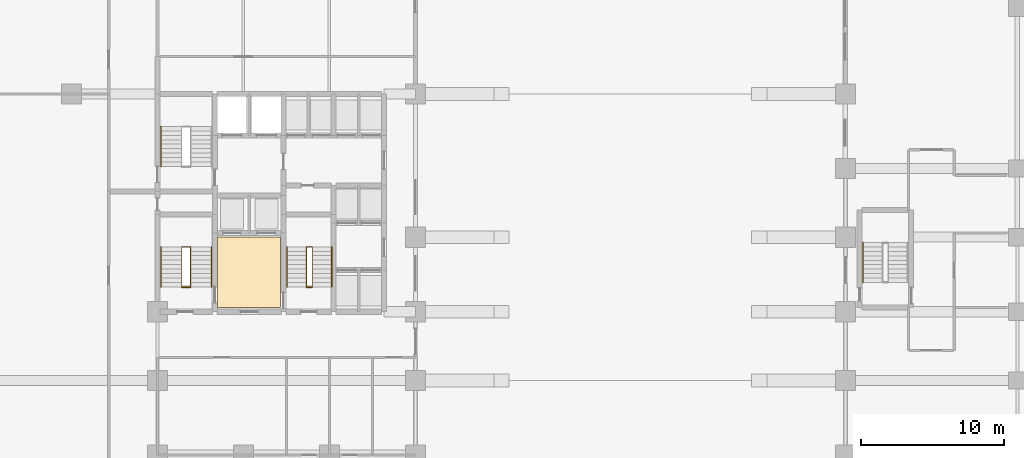
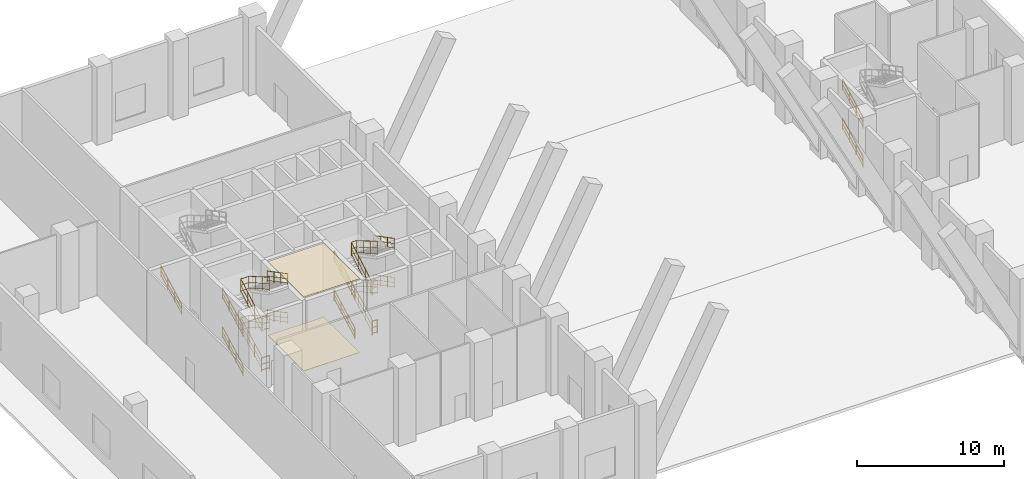
# One storey, part 8 of 10: 15 railings, 2 coverings.
"""IFC4 building model written with IfcOpenShell, lengths in metres."""

import ifcopenshell
import ifcopenshell.guid

model = None  # the IFC model being written
_history = None  # IfcOwnerHistory: only IFC2X3 demands one
_inside = {}  # id of a spatial element -> (the spatial element, [elements in it])
_under = {}  # id of a project, library or spatial element -> (it, [spatial elements below it])
_declared = {}  # id of a project -> (the project, [libraries it declares])
_typed = {}  # id of a type object -> (the type object, [elements of that type])
_made_of = {}  # id of a material, layer set ... -> (it, [elements and type objects made of it])


def new_model(schema):
    """Start an empty IFC model of exactly this schema.

    Asked for "IFC4X3", IfcOpenShell would pick the latest addendum, in which some entities
    have other attributes; the version numbers below select the first issue.
    IFC2X3 requires an IfcOwnerHistory on every rooted entity: one is made here for all.
    """
    global model, _history
    if schema == "IFC4X3":
        model = ifcopenshell.file(schema_version=(4, 3, 0, 0))
    else:
        model = ifcopenshell.file(schema=schema)
    _inside.clear()
    _under.clear()
    _declared.clear()
    _typed.clear()
    _made_of.clear()
    _history = None
    if model.schema == "IFC2X3":
        org = make("IfcOrganization", Name="unknown")
        user = make(
            "IfcPersonAndOrganization",
            ThePerson=make("IfcPerson", FamilyName="unknown"),
            TheOrganization=org,
        )
        app = make(
            "IfcApplication",
            ApplicationDeveloper=org,
            Version="unknown",
            ApplicationFullName="unknown",
            ApplicationIdentifier="unknown",
        )
        _history = make(
            "IfcOwnerHistory",
            OwningUser=user,
            OwningApplication=app,
            ChangeAction="ADDED",
            CreationDate=0,
        )
    return model


def make(cls, **values):
    """One entity of the class cls with the attributes given. An attribute that is None is left unset."""
    return model.create_entity(
        cls, **{name: value for name, value in values.items() if value is not None}
    )


def rooted(cls, **values):
    """An entity with a GlobalId (a new one), such as an element, a storey or a relation."""
    return make(cls, GlobalId=ifcopenshell.guid.new(), OwnerHistory=_history, **values)


def si_unit(unit_type, name, prefix=None):
    """IfcSIUnit, for example si_unit("LENGTHUNIT", "METRE", prefix="MILLI")."""
    return make("IfcSIUnit", UnitType=unit_type, Prefix=prefix, Name=name)


def assignment(units):
    """IfcUnitAssignment: the units of a project."""
    return None if units is None else make("IfcUnitAssignment", Units=units)


def point(xyz):
    """IfcCartesianPoint."""
    return None if xyz is None else make("IfcCartesianPoint", Coordinates=xyz)


def direction(xyz):
    """IfcDirection."""
    return None if xyz is None else make("IfcDirection", DirectionRatios=xyz)


def frame(location, z_axis=None, x_axis=None):
    """IfcAxis2Placement3D, a coordinate frame: its origin and axes. An axis left out is left unset."""
    return make(
        "IfcAxis2Placement3D",
        Location=point(location),
        Axis=direction(z_axis),
        RefDirection=direction(x_axis),
    )


def frame_2d(location, x_axis=None):
    """IfcAxis2Placement2D, a coordinate frame in the plane: its origin and x axis."""
    return make(
        "IfcAxis2Placement2D", Location=point(location), RefDirection=direction(x_axis)
    )


def origin():
    """The frame at (0, 0, 0) with its axes left unset."""
    return frame((0.0, 0.0, 0.0))


def origin_2d():
    """The frame at (0, 0) in the plane with its x axis left unset."""
    return frame_2d((0.0, 0.0))


def place(relative_to, where):
    """IfcLocalPlacement: puts the frame where relative to a parent placement (None: the world)."""
    return make(
        "IfcLocalPlacement", PlacementRelTo=relative_to, RelativePlacement=where
    )


def context(
    kind, dimensions, precision=None, world=None, true_north=None, identifier=None
):
    """IfcGeometricRepresentationContext, for example the 3D "Model" context."""
    return make(
        "IfcGeometricRepresentationContext",
        ContextIdentifier=identifier,
        ContextType=kind,
        CoordinateSpaceDimension=dimensions,
        Precision=precision,
        WorldCoordinateSystem=world,
        TrueNorth=true_north,
    )


def subcontext(parent, identifier, kind, view, scale=None):
    """IfcGeometricRepresentationSubContext, for example "Body" below "Model"."""
    return make(
        "IfcGeometricRepresentationSubContext",
        ContextIdentifier=identifier,
        ContextType=kind,
        ParentContext=parent,
        TargetScale=scale,
        TargetView=view,
    )


def project(units=None, contexts=None):
    """IfcProject with its units and contexts."""
    return rooted(
        "IfcProject",
        Name="project",
        RepresentationContexts=contexts,
        UnitsInContext=assignment(units),
    )


def spatial(cls, under=None, at=None, **own):
    """A site, building, storey or space (cls), placed at a placement, below another one or the project."""
    s = rooted(cls, ObjectPlacement=at, **own)
    if under is not None:
        _under.setdefault(under.id(), (under, []))[1].append(s)
    return s


def polyline(points):
    """IfcPolyline through the points."""
    return make("IfcPolyline", Points=[point(p) for p in points])


def profile(cls, at=None, kind="AREA", **sizes):
    """A parametric profile (cls). Its sizes go by their IFC names, for example OverallWidth=200.0."""
    return make(cls, ProfileType=kind, Position=at, **sizes)


def circle(**sizes):
    """IfcCircleProfileDef."""
    return profile("IfcCircleProfileDef", **sizes)


def outline(outer, holes=None, kind="AREA"):
    """IfcArbitraryClosedProfileDef: a profile drawn as a closed curve; with holes, ...WithVoids."""
    if holes is None:
        return make("IfcArbitraryClosedProfileDef", ProfileType=kind, OuterCurve=outer)
    return make(
        "IfcArbitraryProfileDefWithVoids",
        ProfileType=kind,
        OuterCurve=outer,
        InnerCurves=holes,
    )


def extrude(swept, where, along, depth):
    """IfcExtrudedAreaSolid: the profile swept, set in the frame where, extruded along a direction by depth."""
    return make(
        "IfcExtrudedAreaSolid",
        SweptArea=swept,
        Position=where,
        ExtrudedDirection=direction(along),
        Depth=depth,
    )


def shape(context_of_items, identifier, shape_type, items):
    """IfcShapeRepresentation: the items that make up one representation, for example the "Body"."""
    return make(
        "IfcShapeRepresentation",
        ContextOfItems=context_of_items,
        RepresentationIdentifier=identifier,
        RepresentationType=shape_type,
        Items=items,
    )


def material(Name=None, Category=None):
    """IfcMaterial."""
    return make("IfcMaterial", Name=Name, Category=Category)


def layer(
    of_material, thickness, ventilated=None, Name=None, Category=None, Priority=None
):
    """IfcMaterialLayer: one layer of a wall or slab, of a material (None: an air gap)."""
    return make(
        "IfcMaterialLayer",
        Material=of_material,
        LayerThickness=thickness,
        IsVentilated=ventilated,
        Name=Name,
        Category=Category,
        Priority=Priority,
    )


def layer_set(layers, Name=None):
    """IfcMaterialLayerSet."""
    return make("IfcMaterialLayerSet", MaterialLayers=layers, LayerSetName=Name)


def made_of(thing, what):
    """Note that an element or type object is made of a material, layer set ...; save() writes the relation."""
    if what is not None:
        _made_of.setdefault(what.id(), (what, []))[1].append(thing)
    return thing


def type_object(cls, material=None, **own):
    """A type object (cls), such as IfcWallType, which elements share."""
    return made_of(rooted(cls, **own), material)


def element(
    cls,
    number,
    at=None,
    inside=None,
    cuts=None,
    type_object=None,
    material=None,
    context=None,
    identifier="Body",
    shape_type=None,
    held_by="IfcProductDefinitionShape",
    body=None,
    shapes=None,
    **own,
):
    """One element of the class cls, such as IfcWall. Its Tag is "e" and its number.

    at: its placement. inside: the storey or other place that contains it. cuts: it is an
    opening in that element (IfcRelVoidsElement). A single representation is given by context,
    identifier, shape_type and body (its items); several are given by shapes. held_by: the class
    of the entity that holds the representations. save() writes the other relations.
    """
    e = rooted(cls, Tag="e%d" % number, ObjectPlacement=at, **own)
    if body is not None:
        shapes = [shape(context, identifier, shape_type, body)]
    if shapes is not None:
        e.Representation = make(held_by, Representations=shapes)
    if inside is not None:
        _inside.setdefault(inside.id(), (inside, []))[1].append(e)
    if cuts is not None:
        rooted(
            "IfcRelVoidsElement", RelatingBuildingElement=cuts, RelatedOpeningElement=e
        )
    if type_object is not None:
        _typed.setdefault(type_object.id(), (type_object, []))[1].append(e)
    return made_of(e, material)


def aggregate(whole, parts):
    """IfcRelAggregates: a whole, such as a stair, and the parts it consists of."""
    return rooted("IfcRelAggregates", RelatingObject=whole, RelatedObjects=parts)


def save(model, path):
    """Write the relations noted so far, then the file.

    IfcRelAggregates (storeys below a building ...), IfcRelContainedInSpatialStructure (elements
    in a storey), IfcRelDefinesByType, IfcRelAssociatesMaterial and IfcRelDeclares: one each for
    every whole, place, type object, material and project.
    """
    for whole, parts in _under.values():
        aggregate(whole, parts)
    for where, things in _inside.values():
        rooted(
            "IfcRelContainedInSpatialStructure",
            RelatedElements=things,
            RelatingStructure=where,
        )
    for kind, things in _typed.values():
        rooted("IfcRelDefinesByType", RelatedObjects=things, RelatingType=kind)
    for what, things in _made_of.values():
        rooted("IfcRelAssociatesMaterial", RelatedObjects=things, RelatingMaterial=what)
    for by, libraries in _declared.values():
        rooted("IfcRelDeclares", RelatingContext=by, RelatedDefinitions=libraries)
    model.write(path)


model = new_model("IFC4")

# Units and contexts
model_context = context("Model", 3, precision=1e-05, world=origin(), true_north=direction((0.0, 1.0)))
body_context = subcontext(model_context, "Body", "Model", "MODEL_VIEW")
ifc_project = project(units=[si_unit("LENGTHUNIT", "METRE"), si_unit("AREAUNIT", "SQUARE_METRE"), si_unit("VOLUMEUNIT", "CUBIC_METRE"), si_unit("PLANEANGLEUNIT", "RADIAN"), si_unit("MASSUNIT", "GRAM", prefix="KILO")], contexts=[model_context])

# Site, building, storey
site_placement = place(None, origin())
site = spatial("IfcSite", under=ifc_project, at=site_placement, CompositionType="ELEMENT")
building_placement = place(site_placement, origin())
building = spatial("IfcBuilding", under=site, at=building_placement, Name="Keshet Zoharim Tower", CompositionType="ELEMENT")
storey_placement = place(building_placement, origin())
storey = spatial("IfcBuildingStorey", under=building, at=storey_placement, Name="L00", CompositionType="ELEMENT", Elevation=0.0)

# Coverings
ifc_material_1 = material(Name="Gypsum Plasterboard", Category="gypsum")
ifc_layer_1 = layer(ifc_material_1, 0.02490234375)
ifc_layer_set_1 = layer_set([ifc_layer_1], Name="Gypsum Plasterboard")
covering_type_1 = type_object("IfcCoveringType", Name="CV-CLG-025", PredefinedType="CEILING", material=ifc_layer_set_1)
covering_1_placement = place(storey_placement, frame((0.0, 0.0, 6.14501953125)))
element("IfcCovering", 1, at=covering_1_placement, inside=storey, type_object=covering_type_1, Name="L00 Transfer Lobby Acoustic Ceiling", PredefinedType="CEILING", context=body_context, shape_type="SweptSolid", body=[
    extrude(outline(polyline([(19.199951171875, 23.0), (23.60009765625, 23.0), (23.60009765625, 27.89990234375), (19.199951171875, 27.89990234375), (19.199951171875, 23.0)])), origin(), (0.0, 0.0, 1.0), 0.02490234375),
])
ifc_material_2 = material(Name="Porcelain Ceramic Tile", Category="ceramic")
ifc_layer_2 = layer(ifc_material_2, 0.02001953125)
ifc_layer_set_2 = layer_set([ifc_layer_2], Name="Porcelain Ceramic Tile")
covering_type_2 = type_object("IfcCoveringType", Name="CV-FLR-020", PredefinedType="FLOORING", material=ifc_layer_set_2)
covering_2_placement = place(storey_placement, origin())
element("IfcCovering", 2, at=covering_2_placement, inside=storey, type_object=covering_type_2, Name="L00 Transfer Lobby Porcelain Flooring", PredefinedType="FLOORING", context=body_context, shape_type="SweptSolid", body=[
    extrude(outline(polyline([(19.199951171875, 23.0), (23.60009765625, 23.0), (23.60009765625, 27.89990234375), (19.199951171875, 27.89990234375), (19.199951171875, 23.0)])), origin(), (0.0, 0.0, 1.0), 0.02001953125),
])

# Railings
ifc_material_3 = material(Name="Steel S355", Category="steel")
ifc_layer_3 = layer(ifc_material_3, 0.050048828125)
ifc_layer_set_3 = layer_set([ifc_layer_3], Name="Steel S355")
railing_type_1 = type_object("IfcRailingType", Name="RL-HND-092", PredefinedType="HANDRAIL", material=ifc_layer_set_3)
railing_1_placement = place(storey_placement, frame((15.239990234375, 24.43994140625, 0.16259765625)))
element("IfcRailing", 3, at=railing_1_placement, inside=storey, type_object=railing_type_1, Name="L00 ST-01 Flight 1 Wall Handrail", PredefinedType="HANDRAIL", context=body_context, shape_type="SweptSolid", body=[
    extrude(circle(Radius=0.02392578125, at=origin_2d()), frame((0.0, 0.0, 0.89599609375), z_axis=(0.0, 0.885707112116, 0.46424445236), x_axis=(-1.0, 0.0, 0.0)), (0.0, 0.0, 1.0), 3.150146484375),
    extrude(circle(Radius=0.01611328125, at=origin_2d()), frame((0.0, 0.0, 0.478271484375), z_axis=(0.0, 0.885707112116, 0.46424445236), x_axis=(-1.0, 0.0, 0.0)), (0.0, 0.0, 1.0), 3.150146484375),
    extrude(circle(Radius=0.01611328125, at=origin_2d()), frame((0.0, 0.0, 0.1201171875), z_axis=(0.0, 0.885707112116, 0.46424445236), x_axis=(-1.0, 0.0, 0.0)), (0.0, 0.0, 1.0), 3.150146484375),
    extrude(circle(Radius=0.02099609375, at=origin_2d()), origin(), (0.0, 0.0, 1.0), 0.871826171875),
    extrude(circle(Radius=0.02099609375, at=origin_2d()), frame((0.0, 0.929931640625, 0.487548828125)), (0.0, 0.0, 1.0), 0.871826171875),
    extrude(circle(Radius=0.02099609375, at=origin_2d()), frame((0.0, 1.860107421875, 0.974853515625)), (0.0, 0.0, 1.0), 0.871826171875),
    extrude(circle(Radius=0.02099609375, at=origin_2d()), frame((0.0, 2.7900390625, 1.46240234375)), (0.0, 0.0, 1.0), 0.871826171875),
])
railing_2_placement = place(storey_placement, frame((18.760009765625, 27.22998046875, 1.78759765625)))
element("IfcRailing", 4, at=railing_2_placement, inside=storey, type_object=railing_type_1, Name="L00 ST-01 Flight 2 Wall Handrail", PredefinedType="HANDRAIL", context=body_context, shape_type="SweptSolid", body=[
    extrude(circle(Radius=0.02392578125, at=origin_2d()), frame((0.0, 0.0, 0.89599609375), z_axis=(0.0, -0.885707112116, 0.46424445236), x_axis=(1.0, 0.0, 0.0)), (0.0, 0.0, 1.0), 3.150146484375),
    extrude(circle(Radius=0.01611328125, at=origin_2d()), frame((0.0, 0.0, 0.478271484375), z_axis=(0.0, -0.885707112116, 0.46424445236), x_axis=(1.0, 0.0, 0.0)), (0.0, 0.0, 1.0), 3.150146484375),
    extrude(circle(Radius=0.01611328125, at=origin_2d()), frame((0.0, 0.0, 0.1201171875), z_axis=(0.0, -0.885707112116, 0.46424445236), x_axis=(1.0, 0.0, 0.0)), (0.0, 0.0, 1.0), 3.150146484375),
    extrude(circle(Radius=0.02099609375, at=origin_2d()), origin(), (0.0, 0.0, 1.0), 0.871826171875),
    extrude(circle(Radius=0.02099609375, at=origin_2d()), frame((0.0, -0.929931640625, 0.487548828125)), (0.0, 0.0, 1.0), 0.871826171875),
    extrude(circle(Radius=0.02099609375, at=origin_2d()), frame((0.0, -1.860107421875, 0.974853515625)), (0.0, 0.0, 1.0), 0.871826171875),
    extrude(circle(Radius=0.02099609375, at=origin_2d()), frame((0.0, -2.7900390625, 1.46240234375)), (0.0, 0.0, 1.0), 0.871826171875),
])
railing_3_placement = place(storey_placement, frame((15.239990234375, 24.43994140625, 3.41259765625)))
element("IfcRailing", 5, at=railing_3_placement, inside=storey, type_object=railing_type_1, Name="L00 ST-01 Flight 3 Wall Handrail", PredefinedType="HANDRAIL", context=body_context, shape_type="SweptSolid", body=[
    extrude(circle(Radius=0.02392578125, at=origin_2d()), frame((0.0, 0.0, 0.89599609375), z_axis=(0.0, 0.885707112116, 0.46424445236), x_axis=(-1.0, 0.0, 0.0)), (0.0, 0.0, 1.0), 3.150146484375),
    extrude(circle(Radius=0.01611328125, at=origin_2d()), frame((0.0, 0.0, 0.478271484375), z_axis=(0.0, 0.885707112116, 0.46424445236), x_axis=(-1.0, 0.0, 0.0)), (0.0, 0.0, 1.0), 3.150146484375),
    extrude(circle(Radius=0.01611328125, at=origin_2d()), frame((0.0, 0.0, 0.1201171875), z_axis=(0.0, 0.885707112116, 0.46424445236), x_axis=(-1.0, 0.0, 0.0)), (0.0, 0.0, 1.0), 3.150146484375),
    extrude(circle(Radius=0.02099609375, at=origin_2d()), origin(), (0.0, 0.0, 1.0), 0.871826171875),
    extrude(circle(Radius=0.02099609375, at=origin_2d()), frame((0.0, 0.929931640625, 0.487548828125)), (0.0, 0.0, 1.0), 0.871826171875),
    extrude(circle(Radius=0.02099609375, at=origin_2d()), frame((0.0, 1.860107421875, 0.974853515625)), (0.0, 0.0, 1.0), 0.871826171875),
    extrude(circle(Radius=0.02099609375, at=origin_2d()), frame((0.0, 2.7900390625, 1.46240234375)), (0.0, 0.0, 1.0), 0.871826171875),
])
railing_4_placement = place(storey_placement, frame((18.760009765625, 27.22998046875, 5.03759765625)))
element("IfcRailing", 6, at=railing_4_placement, inside=storey, type_object=railing_type_1, Name="L00 ST-01 Flight 4 Wall Handrail", PredefinedType="HANDRAIL", context=body_context, shape_type="SweptSolid", body=[
    extrude(circle(Radius=0.02392578125, at=origin_2d()), frame((0.0, 0.0, 0.89599609375), z_axis=(0.0, -0.885707112116, 0.46424445236), x_axis=(1.0, 0.0, 0.0)), (0.0, 0.0, 1.0), 3.150146484375),
    extrude(circle(Radius=0.01611328125, at=origin_2d()), frame((0.0, 0.0, 0.478271484375), z_axis=(0.0, -0.885707112116, 0.46424445236), x_axis=(1.0, 0.0, 0.0)), (0.0, 0.0, 1.0), 3.150146484375),
    extrude(circle(Radius=0.01611328125, at=origin_2d()), frame((0.0, 0.0, 0.1201171875), z_axis=(0.0, -0.885707112116, 0.46424445236), x_axis=(1.0, 0.0, 0.0)), (0.0, 0.0, 1.0), 3.150146484375),
    extrude(circle(Radius=0.02099609375, at=origin_2d()), origin(), (0.0, 0.0, 1.0), 0.871826171875),
    extrude(circle(Radius=0.02099609375, at=origin_2d()), frame((0.0, -0.929931640625, 0.487548828125)), (0.0, 0.0, 1.0), 0.871826171875),
    extrude(circle(Radius=0.02099609375, at=origin_2d()), frame((0.0, -1.860107421875, 0.974853515625)), (0.0, 0.0, 1.0), 0.871826171875),
    extrude(circle(Radius=0.02099609375, at=origin_2d()), frame((0.0, -2.7900390625, 1.46240234375)), (0.0, 0.0, 1.0), 0.871826171875),
])
railing_5_placement = place(storey_placement, frame((15.239990234375, 32.840087890625, 0.16259765625)))
element("IfcRailing", 7, at=railing_5_placement, inside=storey, type_object=railing_type_1, Name="L00 ST-02 Flight 1 Wall Handrail", PredefinedType="HANDRAIL", context=body_context, shape_type="SweptSolid", body=[
    extrude(circle(Radius=0.02392578125, at=origin_2d()), frame((0.0, 0.0, 0.89599609375), z_axis=(0.0, 0.88569040667, 0.46427632239), x_axis=(-1.0, 0.0, 0.0)), (0.0, 0.0, 1.0), 3.14990234375),
    extrude(circle(Radius=0.01611328125, at=origin_2d()), frame((0.0, 0.0, 0.478271484375), z_axis=(0.0, 0.88569040667, 0.46427632239), x_axis=(-1.0, 0.0, 0.0)), (0.0, 0.0, 1.0), 3.14990234375),
    extrude(circle(Radius=0.01611328125, at=origin_2d()), frame((0.0, 0.0, 0.1201171875), z_axis=(0.0, 0.88569040667, 0.46427632239), x_axis=(-1.0, 0.0, 0.0)), (0.0, 0.0, 1.0), 3.14990234375),
    extrude(circle(Radius=0.02099609375, at=origin_2d()), origin(), (0.0, 0.0, 1.0), 0.871826171875),
    extrude(circle(Radius=0.02099609375, at=origin_2d()), frame((0.0, 0.929931640625, 0.487548828125)), (0.0, 0.0, 1.0), 0.871826171875),
    extrude(circle(Radius=0.02099609375, at=origin_2d()), frame((0.0, 1.85986328125, 0.974853515625)), (0.0, 0.0, 1.0), 0.871826171875),
    extrude(circle(Radius=0.02099609375, at=origin_2d()), frame((0.0, 2.789794921875, 1.46240234375)), (0.0, 0.0, 1.0), 0.871826171875),
])
railing_6_placement = place(storey_placement, frame((24.0400390625, 24.43994140625, 0.16259765625)))
element("IfcRailing", 8, at=railing_6_placement, inside=storey, type_object=railing_type_1, Name="L00 ST-03 Flight 1 Wall Handrail", PredefinedType="HANDRAIL", context=body_context, shape_type="SweptSolid", body=[
    extrude(circle(Radius=0.02392578125, at=origin_2d()), frame((0.0, 0.0, 0.89599609375), z_axis=(0.0, 0.885707112116, 0.46424445236), x_axis=(-1.0, 0.0, 0.0)), (0.0, 0.0, 1.0), 3.150146484375),
    extrude(circle(Radius=0.01611328125, at=origin_2d()), frame((0.0, 0.0, 0.478271484375), z_axis=(0.0, 0.885707112116, 0.46424445236), x_axis=(-1.0, 0.0, 0.0)), (0.0, 0.0, 1.0), 3.150146484375),
    extrude(circle(Radius=0.01611328125, at=origin_2d()), frame((0.0, 0.0, 0.1201171875), z_axis=(0.0, 0.885707112116, 0.46424445236), x_axis=(-1.0, 0.0, 0.0)), (0.0, 0.0, 1.0), 3.150146484375),
    extrude(circle(Radius=0.02099609375, at=origin_2d()), origin(), (0.0, 0.0, 1.0), 0.871826171875),
    extrude(circle(Radius=0.02099609375, at=origin_2d()), frame((0.0, 0.929931640625, 0.487548828125)), (0.0, 0.0, 1.0), 0.871826171875),
    extrude(circle(Radius=0.02099609375, at=origin_2d()), frame((0.0, 1.860107421875, 0.974853515625)), (0.0, 0.0, 1.0), 0.871826171875),
    extrude(circle(Radius=0.02099609375, at=origin_2d()), frame((0.0, 2.7900390625, 1.46240234375)), (0.0, 0.0, 1.0), 0.871826171875),
])
railing_7_placement = place(storey_placement, frame((27.159912109375, 27.22998046875, 1.78759765625)))
element("IfcRailing", 9, at=railing_7_placement, inside=storey, type_object=railing_type_1, Name="L00 ST-03 Flight 2 Wall Handrail", PredefinedType="HANDRAIL", context=body_context, shape_type="SweptSolid", body=[
    extrude(circle(Radius=0.02392578125, at=origin_2d()), frame((0.0, 0.0, 0.89599609375), z_axis=(0.0, -0.885707112116, 0.46424445236), x_axis=(1.0, 0.0, 0.0)), (0.0, 0.0, 1.0), 3.150146484375),
    extrude(circle(Radius=0.01611328125, at=origin_2d()), frame((0.0, 0.0, 0.478271484375), z_axis=(0.0, -0.885707112116, 0.46424445236), x_axis=(1.0, 0.0, 0.0)), (0.0, 0.0, 1.0), 3.150146484375),
    extrude(circle(Radius=0.01611328125, at=origin_2d()), frame((0.0, 0.0, 0.1201171875), z_axis=(0.0, -0.885707112116, 0.46424445236), x_axis=(1.0, 0.0, 0.0)), (0.0, 0.0, 1.0), 3.150146484375),
    extrude(circle(Radius=0.02099609375, at=origin_2d()), origin(), (0.0, 0.0, 1.0), 0.871826171875),
    extrude(circle(Radius=0.02099609375, at=origin_2d()), frame((0.0, -0.929931640625, 0.487548828125)), (0.0, 0.0, 1.0), 0.871826171875),
    extrude(circle(Radius=0.02099609375, at=origin_2d()), frame((0.0, -1.860107421875, 0.974853515625)), (0.0, 0.0, 1.0), 0.871826171875),
    extrude(circle(Radius=0.02099609375, at=origin_2d()), frame((0.0, -2.7900390625, 1.46240234375)), (0.0, 0.0, 1.0), 0.871826171875),
])
railing_8_placement = place(storey_placement, frame((24.0400390625, 24.43994140625, 3.41259765625)))
element("IfcRailing", 10, at=railing_8_placement, inside=storey, type_object=railing_type_1, Name="L00 ST-03 Flight 3 Wall Handrail", PredefinedType="HANDRAIL", context=body_context, shape_type="SweptSolid", body=[
    extrude(circle(Radius=0.02392578125, at=origin_2d()), frame((0.0, 0.0, 0.89599609375), z_axis=(0.0, 0.885707112116, 0.46424445236), x_axis=(-1.0, 0.0, 0.0)), (0.0, 0.0, 1.0), 3.150146484375),
    extrude(circle(Radius=0.01611328125, at=origin_2d()), frame((0.0, 0.0, 0.478271484375), z_axis=(0.0, 0.885707112116, 0.46424445236), x_axis=(-1.0, 0.0, 0.0)), (0.0, 0.0, 1.0), 3.150146484375),
    extrude(circle(Radius=0.01611328125, at=origin_2d()), frame((0.0, 0.0, 0.1201171875), z_axis=(0.0, 0.885707112116, 0.46424445236), x_axis=(-1.0, 0.0, 0.0)), (0.0, 0.0, 1.0), 3.150146484375),
    extrude(circle(Radius=0.02099609375, at=origin_2d()), origin(), (0.0, 0.0, 1.0), 0.871826171875),
    extrude(circle(Radius=0.02099609375, at=origin_2d()), frame((0.0, 0.929931640625, 0.487548828125)), (0.0, 0.0, 1.0), 0.871826171875),
    extrude(circle(Radius=0.02099609375, at=origin_2d()), frame((0.0, 1.860107421875, 0.974853515625)), (0.0, 0.0, 1.0), 0.871826171875),
    extrude(circle(Radius=0.02099609375, at=origin_2d()), frame((0.0, 2.7900390625, 1.46240234375)), (0.0, 0.0, 1.0), 0.871826171875),
])
railing_9_placement = place(storey_placement, frame((27.159912109375, 27.22998046875, 5.03759765625)))
element("IfcRailing", 11, at=railing_9_placement, inside=storey, type_object=railing_type_1, Name="L00 ST-03 Flight 4 Wall Handrail", PredefinedType="HANDRAIL", context=body_context, shape_type="SweptSolid", body=[
    extrude(circle(Radius=0.02392578125, at=origin_2d()), frame((0.0, 0.0, 0.89599609375), z_axis=(0.0, -0.885707112116, 0.46424445236), x_axis=(1.0, 0.0, 0.0)), (0.0, 0.0, 1.0), 3.150146484375),
    extrude(circle(Radius=0.01611328125, at=origin_2d()), frame((0.0, 0.0, 0.478271484375), z_axis=(0.0, -0.885707112116, 0.46424445236), x_axis=(1.0, 0.0, 0.0)), (0.0, 0.0, 1.0), 3.150146484375),
    extrude(circle(Radius=0.01611328125, at=origin_2d()), frame((0.0, 0.0, 0.1201171875), z_axis=(0.0, -0.885707112116, 0.46424445236), x_axis=(1.0, 0.0, 0.0)), (0.0, 0.0, 1.0), 3.150146484375),
    extrude(circle(Radius=0.02099609375, at=origin_2d()), origin(), (0.0, 0.0, 1.0), 0.871826171875),
    extrude(circle(Radius=0.02099609375, at=origin_2d()), frame((0.0, -0.929931640625, 0.487548828125)), (0.0, 0.0, 1.0), 0.871826171875),
    extrude(circle(Radius=0.02099609375, at=origin_2d()), frame((0.0, -1.860107421875, 0.974853515625)), (0.0, 0.0, 1.0), 0.871826171875),
    extrude(circle(Radius=0.02099609375, at=origin_2d()), frame((0.0, -2.7900390625, 1.46240234375)), (0.0, 0.0, 1.0), 0.871826171875),
])
for number, where, name in (
    (12, (64.239990234375, 24.739990234375, 0.16259765625), "L00 ST-04 Flight 1 Wall Handrail"),
    (13, (64.239990234375, 24.739990234375, 3.41259765625), "L00 ST-04 Flight 3 Wall Handrail"),
):
    element("IfcRailing", number, at=place(storey_placement, frame(where)), inside=storey, type_object=railing_type_1, Name=name, PredefinedType="HANDRAIL", context=body_context, shape_type="SweptSolid", body=[
        extrude(circle(Radius=0.02392578125, at=origin_2d()), frame((0.0, 0.0, 0.89599609375), z_axis=(0.0, 0.885707112116, 0.46424445236), x_axis=(-1.0, 0.0, 0.0)), (0.0, 0.0, 1.0), 3.150146484375),
        extrude(circle(Radius=0.01611328125, at=origin_2d()), frame((0.0, 0.0, 0.478271484375), z_axis=(0.0, 0.885707112116, 0.46424445236), x_axis=(-1.0, 0.0, 0.0)), (0.0, 0.0, 1.0), 3.150146484375),
        extrude(circle(Radius=0.01611328125, at=origin_2d()), frame((0.0, 0.0, 0.1201171875), z_axis=(0.0, 0.885707112116, 0.46424445236), x_axis=(-1.0, 0.0, 0.0)), (0.0, 0.0, 1.0), 3.150146484375),
        extrude(circle(Radius=0.02099609375, at=origin_2d()), origin(), (0.0, 0.0, 1.0), 0.871826171875),
        extrude(circle(Radius=0.02099609375, at=origin_2d()), frame((0.0, 0.929931640625, 0.487548828125)), (0.0, 0.0, 1.0), 0.871826171875),
        extrude(circle(Radius=0.02099609375, at=origin_2d()), frame((0.0, 1.860107421875, 0.974853515625)), (0.0, 0.0, 1.0), 0.871826171875),
        extrude(circle(Radius=0.02099609375, at=origin_2d()), frame((0.0, 2.7900390625, 1.46240234375)), (0.0, 0.0, 1.0), 0.871826171875),
    ])
ifc_layer_4 = layer(ifc_material_3, 0.06005859375)
ifc_layer_set_4 = layer_set([ifc_layer_4], Name="Steel S355")
railing_type_2 = type_object("IfcRailingType", Name="RL-STG-115", PredefinedType="GUARDRAIL", material=ifc_layer_set_4)
railing_10_placement = place(storey_placement, frame((16.68994140625, 24.43994140625, 0.16259765625)))
element("IfcRailing", 14, at=railing_10_placement, inside=storey, type_object=railing_type_2, Name="L00 ST-01 Inner Well Guardrail", PredefinedType="GUARDRAIL", context=body_context, shape_type="SweptSolid", body=[
    extrude(circle(Radius=0.02392578125, at=origin_2d()), frame((0.0, 0.0, 1.1259765625), z_axis=(0.0, 0.885707112116, 0.46424445236), x_axis=(-1.0, 0.0, 0.0)), (0.0, 0.0, 1.0), 3.150146484375),
    extrude(circle(Radius=0.01611328125, at=origin_2d()), frame((0.0, 0.0, 0.597900390625), z_axis=(0.0, 0.885707112116, 0.46424445236), x_axis=(-1.0, 0.0, 0.0)), (0.0, 0.0, 1.0), 3.150146484375),
    extrude(circle(Radius=0.01611328125, at=origin_2d()), frame((0.0, 0.0, 0.1201171875), z_axis=(0.0, 0.885707112116, 0.46424445236), x_axis=(-1.0, 0.0, 0.0)), (0.0, 0.0, 1.0), 3.150146484375),
    extrude(circle(Radius=0.02392578125, at=origin_2d()), frame((0.0, 2.7900390625, 2.58837890625), z_axis=(1.0, 0.0, 0.0), x_axis=(0.0, 1.0, 0.0)), (0.0, 0.0, 1.0), 0.6201171875),
    extrude(circle(Radius=0.01611328125, at=origin_2d()), frame((0.0, 2.7900390625, 2.060302734375), z_axis=(1.0, 0.0, 0.0), x_axis=(0.0, 1.0, 0.0)), (0.0, 0.0, 1.0), 0.6201171875),
    extrude(circle(Radius=0.01611328125, at=origin_2d()), frame((0.0, 2.7900390625, 1.58251953125), z_axis=(1.0, 0.0, 0.0), x_axis=(0.0, 1.0, 0.0)), (0.0, 0.0, 1.0), 0.6201171875),
    extrude(circle(Radius=0.02392578125, at=origin_2d()), frame((0.6201171875, 2.7900390625, 2.58837890625), z_axis=(0.0, -0.864118772059, 0.503287937244), x_axis=(1.0, 0.0, 0.0)), (0.0, 0.0, 1.0), 3.228759765625),
    extrude(circle(Radius=0.01611328125, at=origin_2d()), frame((0.6201171875, 2.7900390625, 2.060302734375), z_axis=(0.0, -0.864118772059, 0.503287937244), x_axis=(1.0, 0.0, 0.0)), (0.0, 0.0, 1.0), 3.228759765625),
    extrude(circle(Radius=0.01611328125, at=origin_2d()), frame((0.6201171875, 2.7900390625, 1.58251953125), z_axis=(0.0, -0.864118772059, 0.503287937244), x_axis=(1.0, 0.0, 0.0)), (0.0, 0.0, 1.0), 3.228759765625),
    extrude(circle(Radius=0.02392578125, at=origin_2d()), frame((0.6201171875, 0.0, 4.21337890625), z_axis=(-1.0, 0.0, 0.0), x_axis=(0.0, -1.0, 0.0)), (0.0, 0.0, 1.0), 0.6201171875),
    extrude(circle(Radius=0.01611328125, at=origin_2d()), frame((0.6201171875, 0.0, 3.685302734375), z_axis=(-1.0, 0.0, 0.0), x_axis=(0.0, -1.0, 0.0)), (0.0, 0.0, 1.0), 0.6201171875),
    extrude(circle(Radius=0.01611328125, at=origin_2d()), frame((0.6201171875, 0.0, 3.20751953125), z_axis=(-1.0, 0.0, 0.0), x_axis=(0.0, -1.0, 0.0)), (0.0, 0.0, 1.0), 0.6201171875),
    extrude(circle(Radius=0.02392578125, at=origin_2d()), frame((0.0, 0.0, 4.21337890625), z_axis=(0.0, 0.864118772059, 0.503287937244), x_axis=(-1.0, 0.0, 0.0)), (0.0, 0.0, 1.0), 3.228759765625),
    extrude(circle(Radius=0.01611328125, at=origin_2d()), frame((0.0, 0.0, 3.685302734375), z_axis=(0.0, 0.864118772059, 0.503287937244), x_axis=(-1.0, 0.0, 0.0)), (0.0, 0.0, 1.0), 3.228759765625),
    extrude(circle(Radius=0.01611328125, at=origin_2d()), frame((0.0, 0.0, 3.20751953125), z_axis=(0.0, 0.864118772059, 0.503287937244), x_axis=(-1.0, 0.0, 0.0)), (0.0, 0.0, 1.0), 3.228759765625),
    extrude(circle(Radius=0.02392578125, at=origin_2d()), frame((0.0, 2.7900390625, 5.83837890625), z_axis=(1.0, 0.0, 0.0), x_axis=(0.0, 1.0, 0.0)), (0.0, 0.0, 1.0), 0.6201171875),
    extrude(circle(Radius=0.01611328125, at=origin_2d()), frame((0.0, 2.7900390625, 5.310302734375), z_axis=(1.0, 0.0, 0.0), x_axis=(0.0, 1.0, 0.0)), (0.0, 0.0, 1.0), 0.6201171875),
    extrude(circle(Radius=0.01611328125, at=origin_2d()), frame((0.0, 2.7900390625, 4.83251953125), z_axis=(1.0, 0.0, 0.0), x_axis=(0.0, 1.0, 0.0)), (0.0, 0.0, 1.0), 0.6201171875),
    extrude(circle(Radius=0.02392578125, at=origin_2d()), frame((0.6201171875, 2.7900390625, 5.83837890625), z_axis=(0.0, -0.864118772059, 0.503287937244), x_axis=(1.0, 0.0, 0.0)), (0.0, 0.0, 1.0), 3.228759765625),
    extrude(circle(Radius=0.01611328125, at=origin_2d()), frame((0.6201171875, 2.7900390625, 5.310302734375), z_axis=(0.0, -0.864118772059, 0.503287937244), x_axis=(1.0, 0.0, 0.0)), (0.0, 0.0, 1.0), 3.228759765625),
    extrude(circle(Radius=0.01611328125, at=origin_2d()), frame((0.6201171875, 2.7900390625, 4.83251953125), z_axis=(0.0, -0.864118772059, 0.503287937244), x_axis=(1.0, 0.0, 0.0)), (0.0, 0.0, 1.0), 3.228759765625),
    extrude(circle(Radius=0.02099609375, at=origin_2d()), origin(), (0.0, 0.0, 1.0), 1.101806640625),
    extrude(circle(Radius=0.02099609375, at=origin_2d()), frame((0.0, 0.929931640625, 0.487548828125)), (0.0, 0.0, 1.0), 1.101806640625),
    extrude(circle(Radius=0.02099609375, at=origin_2d()), frame((0.0, 1.860107421875, 0.974853515625)), (0.0, 0.0, 1.0), 1.101806640625),
    extrude(circle(Radius=0.02099609375, at=origin_2d()), frame((0.0, 2.7900390625, 1.46240234375)), (0.0, 0.0, 1.0), 1.101806640625),
    extrude(circle(Radius=0.02099609375, at=origin_2d()), frame((0.6201171875, 2.7900390625, 1.46240234375)), (0.0, 0.0, 1.0), 1.101806640625),
    extrude(circle(Radius=0.02099609375, at=origin_2d()), frame((0.6201171875, 1.860107421875, 2.004150390625)), (0.0, 0.0, 1.0), 1.101806640625),
    extrude(circle(Radius=0.02099609375, at=origin_2d()), frame((0.6201171875, 0.929931640625, 2.545654296875)), (0.0, 0.0, 1.0), 1.101806640625),
    extrude(circle(Radius=0.02099609375, at=origin_2d()), frame((0.6201171875, 0.0, 3.08740234375)), (0.0, 0.0, 1.0), 1.101806640625),
    extrude(circle(Radius=0.02099609375, at=origin_2d()), frame((0.0, 0.0, 3.08740234375)), (0.0, 0.0, 1.0), 1.101806640625),
    extrude(circle(Radius=0.02099609375, at=origin_2d()), frame((0.0, 0.929931640625, 3.629150390625)), (0.0, 0.0, 1.0), 1.101806640625),
    extrude(circle(Radius=0.02099609375, at=origin_2d()), frame((0.0, 1.860107421875, 4.170654296875)), (0.0, 0.0, 1.0), 1.101806640625),
    extrude(circle(Radius=0.02099609375, at=origin_2d()), frame((0.0, 2.7900390625, 4.71240234375)), (0.0, 0.0, 1.0), 1.101806640625),
    extrude(circle(Radius=0.02099609375, at=origin_2d()), frame((0.6201171875, 2.7900390625, 4.71240234375)), (0.0, 0.0, 1.0), 1.101806640625),
    extrude(circle(Radius=0.02099609375, at=origin_2d()), frame((0.6201171875, 1.860107421875, 5.254150390625)), (0.0, 0.0, 1.0), 1.101806640625),
    extrude(circle(Radius=0.02099609375, at=origin_2d()), frame((0.6201171875, 0.929931640625, 5.795654296875)), (0.0, 0.0, 1.0), 1.101806640625),
    extrude(circle(Radius=0.02099609375, at=origin_2d()), frame((0.6201171875, 0.0, 6.33740234375)), (0.0, 0.0, 1.0), 1.101806640625),
])
railing_11_placement = place(storey_placement, frame((16.68994140625, 24.409912109375, 0.0)))
element("IfcRailing", 15, at=railing_11_placement, inside=storey, type_object=railing_type_2, Name="L00 ST-01 Stairwell Floor Guardrail", PredefinedType="GUARDRAIL", context=body_context, shape_type="SweptSolid", body=[
    extrude(circle(Radius=0.02392578125, at=origin_2d()), frame((0.0, 0.0, 1.1259765625), z_axis=(1.0, 0.0, 0.0), x_axis=(0.0, 1.0, 0.0)), (0.0, 0.0, 1.0), 0.6201171875),
    extrude(circle(Radius=0.01611328125, at=origin_2d()), frame((0.0, 0.0, 0.597900390625), z_axis=(1.0, 0.0, 0.0), x_axis=(0.0, 1.0, 0.0)), (0.0, 0.0, 1.0), 0.6201171875),
    extrude(circle(Radius=0.01611328125, at=origin_2d()), frame((0.0, 0.0, 0.1201171875), z_axis=(1.0, 0.0, 0.0), x_axis=(0.0, 1.0, 0.0)), (0.0, 0.0, 1.0), 0.6201171875),
    extrude(circle(Radius=0.02099609375, at=origin_2d()), origin(), (0.0, 0.0, 1.0), 1.101806640625),
    extrude(circle(Radius=0.02099609375, at=origin_2d()), frame((0.6201171875, 0.0, 0.0)), (0.0, 0.0, 1.0), 1.101806640625),
])
railing_12_placement = place(storey_placement, frame((25.39990234375, 24.43994140625, 0.16259765625)))
element("IfcRailing", 16, at=railing_12_placement, inside=storey, type_object=railing_type_2, Name="L00 ST-03 Inner Well Guardrail", PredefinedType="GUARDRAIL", context=body_context, shape_type="SweptSolid", body=[
    extrude(circle(Radius=0.02392578125, at=origin_2d()), frame((0.0, 0.0, 1.1259765625), z_axis=(0.0, 0.885707112116, 0.46424445236), x_axis=(-1.0, 0.0, 0.0)), (0.0, 0.0, 1.0), 3.150146484375),
    extrude(circle(Radius=0.01611328125, at=origin_2d()), frame((0.0, 0.0, 0.597900390625), z_axis=(0.0, 0.885707112116, 0.46424445236), x_axis=(-1.0, 0.0, 0.0)), (0.0, 0.0, 1.0), 3.150146484375),
    extrude(circle(Radius=0.01611328125, at=origin_2d()), frame((0.0, 0.0, 0.1201171875), z_axis=(0.0, 0.885707112116, 0.46424445236), x_axis=(-1.0, 0.0, 0.0)), (0.0, 0.0, 1.0), 3.150146484375),
    extrude(circle(Radius=0.02392578125, at=origin_2d()), frame((0.0, 2.7900390625, 2.58837890625), z_axis=(1.0, 0.0, 0.0), x_axis=(0.0, 1.0, 0.0)), (0.0, 0.0, 1.0), 0.400146484375),
    extrude(circle(Radius=0.01611328125, at=origin_2d()), frame((0.0, 2.7900390625, 2.060302734375), z_axis=(1.0, 0.0, 0.0), x_axis=(0.0, 1.0, 0.0)), (0.0, 0.0, 1.0), 0.400146484375),
    extrude(circle(Radius=0.01611328125, at=origin_2d()), frame((0.0, 2.7900390625, 1.58251953125), z_axis=(1.0, 0.0, 0.0), x_axis=(0.0, 1.0, 0.0)), (0.0, 0.0, 1.0), 0.400146484375),
    extrude(circle(Radius=0.02392578125, at=origin_2d()), frame((0.400146484375, 2.7900390625, 2.58837890625), z_axis=(0.0, -0.864118772059, 0.503287937244), x_axis=(1.0, 0.0, 0.0)), (0.0, 0.0, 1.0), 3.228759765625),
    extrude(circle(Radius=0.01611328125, at=origin_2d()), frame((0.400146484375, 2.7900390625, 2.060302734375), z_axis=(0.0, -0.864118772059, 0.503287937244), x_axis=(1.0, 0.0, 0.0)), (0.0, 0.0, 1.0), 3.228759765625),
    extrude(circle(Radius=0.01611328125, at=origin_2d()), frame((0.400146484375, 2.7900390625, 1.58251953125), z_axis=(0.0, -0.864118772059, 0.503287937244), x_axis=(1.0, 0.0, 0.0)), (0.0, 0.0, 1.0), 3.228759765625),
    extrude(circle(Radius=0.02392578125, at=origin_2d()), frame((0.400146484375, 0.0, 4.21337890625), z_axis=(-1.0, 0.0, 0.0), x_axis=(0.0, -1.0, 0.0)), (0.0, 0.0, 1.0), 0.400146484375),
    extrude(circle(Radius=0.01611328125, at=origin_2d()), frame((0.400146484375, 0.0, 3.685302734375), z_axis=(-1.0, 0.0, 0.0), x_axis=(0.0, -1.0, 0.0)), (0.0, 0.0, 1.0), 0.400146484375),
    extrude(circle(Radius=0.01611328125, at=origin_2d()), frame((0.400146484375, 0.0, 3.20751953125), z_axis=(-1.0, 0.0, 0.0), x_axis=(0.0, -1.0, 0.0)), (0.0, 0.0, 1.0), 0.400146484375),
    extrude(circle(Radius=0.02392578125, at=origin_2d()), frame((0.0, 0.0, 4.21337890625), z_axis=(0.0, 0.864118772059, 0.503287937244), x_axis=(-1.0, 0.0, 0.0)), (0.0, 0.0, 1.0), 3.228759765625),
    extrude(circle(Radius=0.01611328125, at=origin_2d()), frame((0.0, 0.0, 3.685302734375), z_axis=(0.0, 0.864118772059, 0.503287937244), x_axis=(-1.0, 0.0, 0.0)), (0.0, 0.0, 1.0), 3.228759765625),
    extrude(circle(Radius=0.01611328125, at=origin_2d()), frame((0.0, 0.0, 3.20751953125), z_axis=(0.0, 0.864118772059, 0.503287937244), x_axis=(-1.0, 0.0, 0.0)), (0.0, 0.0, 1.0), 3.228759765625),
    extrude(circle(Radius=0.02392578125, at=origin_2d()), frame((0.0, 2.7900390625, 5.83837890625), z_axis=(1.0, 0.0, 0.0), x_axis=(0.0, 1.0, 0.0)), (0.0, 0.0, 1.0), 0.400146484375),
    extrude(circle(Radius=0.01611328125, at=origin_2d()), frame((0.0, 2.7900390625, 5.310302734375), z_axis=(1.0, 0.0, 0.0), x_axis=(0.0, 1.0, 0.0)), (0.0, 0.0, 1.0), 0.400146484375),
    extrude(circle(Radius=0.01611328125, at=origin_2d()), frame((0.0, 2.7900390625, 4.83251953125), z_axis=(1.0, 0.0, 0.0), x_axis=(0.0, 1.0, 0.0)), (0.0, 0.0, 1.0), 0.400146484375),
    extrude(circle(Radius=0.02392578125, at=origin_2d()), frame((0.400146484375, 2.7900390625, 5.83837890625), z_axis=(0.0, -0.864118772059, 0.503287937244), x_axis=(1.0, 0.0, 0.0)), (0.0, 0.0, 1.0), 3.228759765625),
    extrude(circle(Radius=0.01611328125, at=origin_2d()), frame((0.400146484375, 2.7900390625, 5.310302734375), z_axis=(0.0, -0.864118772059, 0.503287937244), x_axis=(1.0, 0.0, 0.0)), (0.0, 0.0, 1.0), 3.228759765625),
    extrude(circle(Radius=0.01611328125, at=origin_2d()), frame((0.400146484375, 2.7900390625, 4.83251953125), z_axis=(0.0, -0.864118772059, 0.503287937244), x_axis=(1.0, 0.0, 0.0)), (0.0, 0.0, 1.0), 3.228759765625),
    extrude(circle(Radius=0.02099609375, at=origin_2d()), origin(), (0.0, 0.0, 1.0), 1.101806640625),
    extrude(circle(Radius=0.02099609375, at=origin_2d()), frame((0.0, 0.929931640625, 0.487548828125)), (0.0, 0.0, 1.0), 1.101806640625),
    extrude(circle(Radius=0.02099609375, at=origin_2d()), frame((0.0, 1.860107421875, 0.974853515625)), (0.0, 0.0, 1.0), 1.101806640625),
    extrude(circle(Radius=0.02099609375, at=origin_2d()), frame((0.0, 2.7900390625, 1.46240234375)), (0.0, 0.0, 1.0), 1.101806640625),
    extrude(circle(Radius=0.02099609375, at=origin_2d()), frame((0.400146484375, 2.7900390625, 1.46240234375)), (0.0, 0.0, 1.0), 1.101806640625),
    extrude(circle(Radius=0.02099609375, at=origin_2d()), frame((0.400146484375, 1.860107421875, 2.004150390625)), (0.0, 0.0, 1.0), 1.101806640625),
    extrude(circle(Radius=0.02099609375, at=origin_2d()), frame((0.400146484375, 0.929931640625, 2.545654296875)), (0.0, 0.0, 1.0), 1.101806640625),
    extrude(circle(Radius=0.02099609375, at=origin_2d()), frame((0.400146484375, 0.0, 3.08740234375)), (0.0, 0.0, 1.0), 1.101806640625),
    extrude(circle(Radius=0.02099609375, at=origin_2d()), frame((0.0, 0.0, 3.08740234375)), (0.0, 0.0, 1.0), 1.101806640625),
    extrude(circle(Radius=0.02099609375, at=origin_2d()), frame((0.0, 0.929931640625, 3.629150390625)), (0.0, 0.0, 1.0), 1.101806640625),
    extrude(circle(Radius=0.02099609375, at=origin_2d()), frame((0.0, 1.860107421875, 4.170654296875)), (0.0, 0.0, 1.0), 1.101806640625),
    extrude(circle(Radius=0.02099609375, at=origin_2d()), frame((0.0, 2.7900390625, 4.71240234375)), (0.0, 0.0, 1.0), 1.101806640625),
    extrude(circle(Radius=0.02099609375, at=origin_2d()), frame((0.400146484375, 2.7900390625, 4.71240234375)), (0.0, 0.0, 1.0), 1.101806640625),
    extrude(circle(Radius=0.02099609375, at=origin_2d()), frame((0.400146484375, 1.860107421875, 5.254150390625)), (0.0, 0.0, 1.0), 1.101806640625),
    extrude(circle(Radius=0.02099609375, at=origin_2d()), frame((0.400146484375, 0.929931640625, 5.795654296875)), (0.0, 0.0, 1.0), 1.101806640625),
    extrude(circle(Radius=0.02099609375, at=origin_2d()), frame((0.400146484375, 0.0, 6.33740234375)), (0.0, 0.0, 1.0), 1.101806640625),
])
railing_13_placement = place(storey_placement, frame((25.39990234375, 24.409912109375, 0.0)))
element("IfcRailing", 17, at=railing_13_placement, inside=storey, type_object=railing_type_2, Name="L00 ST-03 Stairwell Floor Guardrail", PredefinedType="GUARDRAIL", context=body_context, shape_type="SweptSolid", body=[
    extrude(circle(Radius=0.02392578125, at=origin_2d()), frame((0.0, 0.0, 1.1259765625), z_axis=(1.0, 0.0, 0.0), x_axis=(0.0, 1.0, 0.0)), (0.0, 0.0, 1.0), 0.400146484375),
    extrude(circle(Radius=0.01611328125, at=origin_2d()), frame((0.0, 0.0, 0.597900390625), z_axis=(1.0, 0.0, 0.0), x_axis=(0.0, 1.0, 0.0)), (0.0, 0.0, 1.0), 0.400146484375),
    extrude(circle(Radius=0.01611328125, at=origin_2d()), frame((0.0, 0.0, 0.1201171875), z_axis=(1.0, 0.0, 0.0), x_axis=(0.0, 1.0, 0.0)), (0.0, 0.0, 1.0), 0.400146484375),
    extrude(circle(Radius=0.02099609375, at=origin_2d()), origin(), (0.0, 0.0, 1.0), 1.101806640625),
    extrude(circle(Radius=0.02099609375, at=origin_2d()), frame((0.400146484375, 0.0, 0.0)), (0.0, 0.0, 1.0), 1.101806640625),
])

save(model, "model.ifc")
